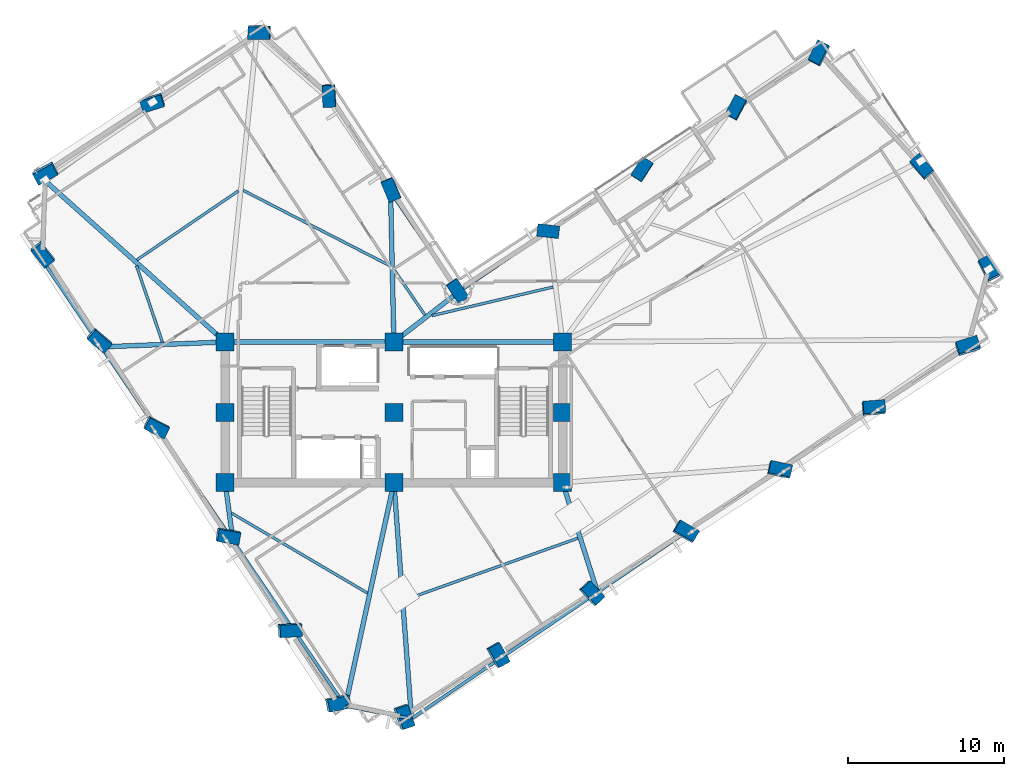
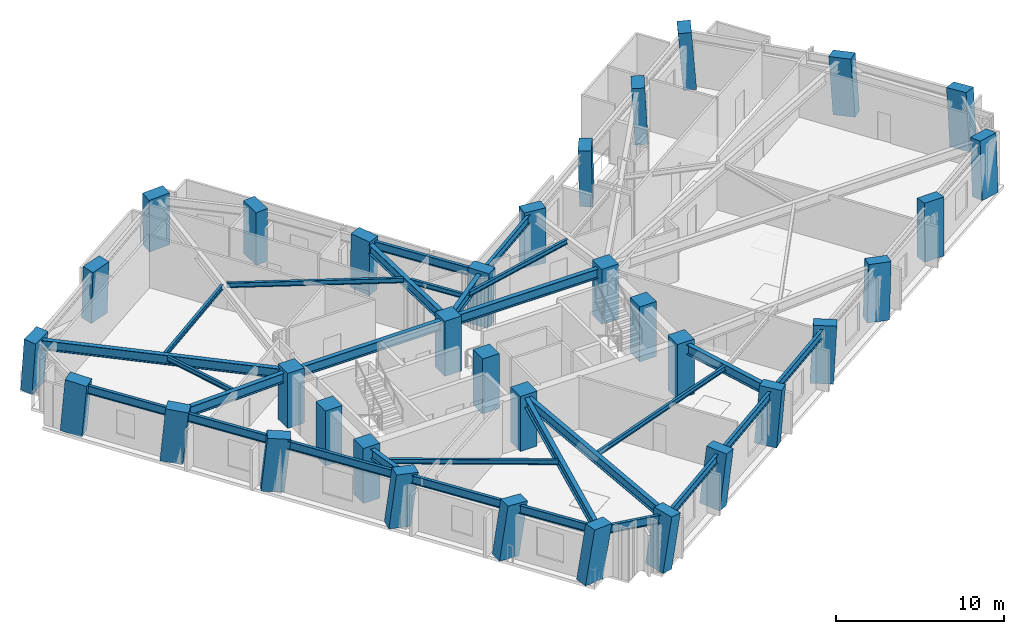
# One storey, part 1 of 14: 34 columns, 28 beams.
"""IFC4 building model written with IfcOpenShell, lengths in metres."""

from ifc_helpers import new_model, si_unit, direction, frame, origin, origin_2d, place, context, subcontext, project, spatial, rectangle, i_section, extrude, material, material_profile, profile_set, type_object, element, save


model = new_model("IFC4")

# Units and contexts
model_context = context("Model", 3, precision=1e-05, world=origin(), true_north=direction((0.0, 1.0)))
body_context = subcontext(model_context, "Body", "Model", "MODEL_VIEW")
ifc_project = project(units=[si_unit("LENGTHUNIT", "METRE"), si_unit("AREAUNIT", "SQUARE_METRE"), si_unit("VOLUMEUNIT", "CUBIC_METRE"), si_unit("PLANEANGLEUNIT", "RADIAN"), si_unit("MASSUNIT", "GRAM", prefix="KILO")], contexts=[model_context])

# Site, building, storey
site_placement = place(None, origin())
site = spatial("IfcSite", under=ifc_project, at=site_placement, CompositionType="ELEMENT")
building_placement = place(site_placement, origin())
building = spatial("IfcBuilding", under=site, at=building_placement, Name="Gaonmaruhae Medical Tower", CompositionType="ELEMENT")
storey_placement = place(building_placement, frame((0.0, 0.0, 165.800048828125)))
storey = spatial("IfcBuildingStorey", under=building, at=storey_placement, Name="L39", CompositionType="ELEMENT", Elevation=165.800048828125)

# Columns
ifc_material_1 = material(Name="Concrete C50/60", Category="concrete")
ifc_material_profile_1 = material_profile(ifc_material_1, rectangle(XDim=1.14990234375, YDim=1.14990234375, at=origin_2d()), Name="RC-1150x1150")
ifc_profile_set_1 = profile_set([ifc_material_profile_1], Name="Concrete C50/60")
column_type_1 = type_object("IfcColumnType", Name="CC-04 Zone 3 Core Column (RC-1150x1150)", PredefinedType="COLUMN", material=ifc_profile_set_1)
for number, where, z_axis, x_axis, name in (
    (1, (14.0, 7.800048828125, 0.0), (0.0, 0.0, 1.0), (1.0, 0.0, 0.0), "L39 Plumb Core Column CC11"),
    (2, (14.0, 12.300048828125, 0.0), (0.0, 0.0, 1.0), (1.0, 0.0, 0.0), "L39 Plumb Core Column CC12"),
    (3, (14.0, 16.800048828125, 0.0), (0.0, 0.0, 1.0), (1.0, 0.0, 0.0), "L39 Plumb Core Column CC13"),
    (4, (24.800048828125, 7.800048828125, 0.0), (0.0, 0.0, 1.0), (1.0, 0.0, 0.0), "L39 Plumb Core Column CC21"),
    (5, (24.800048828125, 12.300048828125, 0.0), (0.0, 0.0, 1.0), (1.0, 0.0, 0.0), "L39 Plumb Core Column CC22"),
    (6, (24.800048828125, 16.800048828125, 0.0), (0.0, 0.0, 1.0), (1.0, 0.0, 0.0), "L39 Plumb Core Column CC23"),
    (7, (35.60009765625, 7.800048828125, 0.0), (0.0, 0.0, 1.0), (1.0, 0.0, 0.0), "L39 Plumb Core Column CC31"),
    (8, (35.60009765625, 12.300048828125, 0.0), (0.0, 0.0, 1.0), (1.0, 0.0, 0.0), "L39 Plumb Core Column CC32"),
    (9, (35.60009765625, 16.800048828125, 0.0), (0.0, 0.0, 1.0), (1.0, 0.0, 0.0), "L39 Plumb Core Column CC33"),
):
    element("IfcColumn", number, at=place(storey_placement, frame(where, z_axis=z_axis, x_axis=x_axis)), inside=storey, type_object=column_type_1, Name=name, PredefinedType="COLUMN", context=body_context, shape_type="SweptSolid", body=[
        extrude(rectangle(XDim=1.14990234375, YDim=1.14990234375, at=origin_2d()), origin(), (0.0, 0.0, 1.0), 4.0),
    ])
ifc_material_2 = material(Name="Concrete C60/75", Category="concrete")
ifc_material_profile_2 = material_profile(ifc_material_2, rectangle(XDim=1.39990234375, YDim=0.800048828125, at=origin_2d()), Name="RC-1400x800")
ifc_profile_set_2 = profile_set([ifc_material_profile_2], Name="Concrete C60/75")
column_type_2 = type_object("IfcColumnType", Name="TC-02 Mid Raking Tube Pier Column (RC-1400x800)", PredefinedType="COLUMN", material=ifc_profile_set_2)
column_1_placement = place(storey_placement, frame((25.394287109375, -7.185791015625, 0.001708984375), z_axis=(0.131645353406, -0.032623837005, 0.9907599034), x_axis=(-0.326117093776, 0.942399963753, 0.074363629997)))
element("IfcColumn", 10, at=column_1_placement, inside=storey, type_object=column_type_2, Name="L39 Perimeter Tube Column S01", PredefinedType="COLUMN", context=body_context, shape_type="SweptSolid", body=[
    extrude(rectangle(XDim=1.39990234375, YDim=0.800048828125, at=origin_2d()), origin(), (0.0, 0.0, 1.0), 4.03369140625),
])
column_2_placement = place(storey_placement, frame((31.41552734375, -3.238037109375, 0.001708984375), z_axis=(0.115534746094, -0.008009761809, 0.993271144331), x_axis=(-0.485460776855, 0.871949376379, 0.06349896981)))
element("IfcColumn", 11, at=column_2_placement, inside=storey, type_object=column_type_2, Name="L39 Perimeter Tube Column S02", PredefinedType="COLUMN", context=body_context, shape_type="SweptSolid", body=[
    extrude(rectangle(XDim=1.39990234375, YDim=0.800048828125, at=origin_2d()), origin(), (0.0, 0.0, 1.0), 4.0234375),
])
column_3_placement = place(storey_placement, frame((37.436767578125, 0.709716796875, 0.001708984375), z_axis=(0.099255217842, 0.016653967966, 0.994922633717), x_axis=(-0.676374263693, 0.734488144375, 0.055181710615)))
element("IfcColumn", 12, at=column_3_placement, inside=storey, type_object=column_type_2, Name="L39 Perimeter Tube Column S03", PredefinedType="COLUMN", context=body_context, shape_type="SweptSolid", body=[
    extrude(rectangle(XDim=1.39990234375, YDim=0.800048828125, at=origin_2d()), origin(), (0.0, 0.0, 1.0), 4.016845703125),
])
column_4_placement = place(storey_placement, frame((43.4580078125, 4.657470703125, 0.001708984375), z_axis=(0.082788142261, 0.041363656677, 0.995708376688), x_axis=(-0.862154123845, 0.504098662124, 0.050742542141)))
element("IfcColumn", 13, at=column_4_placement, inside=storey, type_object=column_type_2, Name="L39 Perimeter Tube Column S04", PredefinedType="COLUMN", context=body_context, shape_type="SweptSolid", body=[
    extrude(rectangle(XDim=1.39990234375, YDim=0.800048828125, at=origin_2d()), origin(), (0.0, 0.0, 1.0), 4.013671875),
])
column_5_placement = place(storey_placement, frame((49.479248046875, 8.605224609375, 0.001708984375), z_axis=(0.066296769237, 0.066114301065, 0.995607170315), x_axis=(-0.977058462441, 0.206691483107, 0.051336067073)))
element("IfcColumn", 14, at=column_5_placement, inside=storey, type_object=column_type_2, Name="L39 Perimeter Tube Column S05", PredefinedType="COLUMN", context=body_context, shape_type="SweptSolid", body=[
    extrude(rectangle(XDim=1.39990234375, YDim=0.800048828125, at=origin_2d()), origin(), (0.0, 0.0, 1.0), 4.013916015625),
])
column_6_placement = place(storey_placement, frame((55.50048828125, 12.552978515625, 0.001708984375), z_axis=(0.049765035184, 0.090719410903, 0.994632308825), x_axis=(-0.995498317814, -0.07592385374, 0.056733302946)))
element("IfcColumn", 15, at=column_6_placement, inside=storey, type_object=column_type_2, Name="L39 Perimeter Tube Column S06", PredefinedType="COLUMN", context=body_context, shape_type="SweptSolid", body=[
    extrude(rectangle(XDim=1.39990234375, YDim=0.800048828125, at=origin_2d()), origin(), (0.0, 0.0, 1.0), 4.017822265625),
])
column_7_placement = place(storey_placement, frame((61.521728515625, 16.500732421875, 0.001708984375), z_axis=(0.03323650567, 0.115175409247, 0.992788980497), x_axis=(-0.954422894609, -0.291130448803, 0.0657267071)))
element("IfcColumn", 16, at=column_7_placement, inside=storey, type_object=column_type_2, Name="L39 Perimeter Tube Column S07", PredefinedType="COLUMN", context=body_context, shape_type="SweptSolid", body=[
    extrude(rectangle(XDim=1.39990234375, YDim=0.800048828125, at=origin_2d()), origin(), (0.0, 0.0, 1.0), 4.025390625),
])
column_8_placement = place(storey_placement, frame((62.877197265625, 21.455078125, 0.001708984375), z_axis=(0.012795146098, 0.120553319632, 0.992624390876), x_axis=(0.457616826134, -0.883350587109, 0.101383335381)))
element("IfcColumn", 17, at=column_8_placement, inside=storey, type_object=column_type_2, Name="L39 Perimeter Tube Column E01", PredefinedType="COLUMN", context=body_context, shape_type="SweptSolid", body=[
    extrude(rectangle(XDim=1.39990234375, YDim=0.800048828125, at=origin_2d()), origin(), (0.0, 0.0, 1.0), 4.026123046875),
])
column_9_placement = place(storey_placement, frame((58.6005859375, 27.97802734375, 0.001708984375), z_axis=(-0.013974855089, 0.102988605982, 0.994584360657), x_axis=(0.65515298968, -0.750479814309, 0.086917250466)))
element("IfcColumn", 18, at=column_9_placement, inside=storey, type_object=column_type_2, Name="L39 Perimeter Tube Column E02", PredefinedType="COLUMN", context=body_context, shape_type="SweptSolid", body=[
    extrude(rectangle(XDim=1.39990234375, YDim=0.800048828125, at=origin_2d()), origin(), (0.0, 0.0, 1.0), 4.01806640625),
])
column_10_placement = place(storey_placement, frame((52.027587890625, 35.267578125, 0.001708984375), z_axis=(-0.043877725152, 0.075705811496, 0.996164331494), x_axis=(-0.449659174305, -0.89191078624, 0.047976831414)))
element("IfcColumn", 19, at=column_10_placement, inside=storey, type_object=column_type_2, Name="L39 Perimeter Tube Column E03", PredefinedType="COLUMN", context=body_context, shape_type="SweptSolid", body=[
    extrude(rectangle(XDim=1.39990234375, YDim=0.800048828125, at=origin_2d()), origin(), (0.0, 0.0, 1.0), 4.01171875),
])
column_11_placement = place(storey_placement, frame((46.71728515625, 31.785888671875, 0.001708984375), z_axis=(-0.029390162986, 0.054024241505, 0.998107008116), x_axis=(-0.473093074248, -0.880366887856, 0.033720703821)))
element("IfcColumn", 20, at=column_11_placement, inside=storey, type_object=column_type_2, Name="L39 Perimeter Tube Column EN01", PredefinedType="COLUMN", context=body_context, shape_type="SweptSolid", body=[
    extrude(rectangle(XDim=1.39990234375, YDim=0.800048828125, at=origin_2d()), origin(), (0.0, 0.0, 1.0), 4.00390625),
])
column_12_placement = place(storey_placement, frame((40.696044921875, 27.838134765625, 0.001708984375), z_axis=(-0.012883611471, 0.029308689603, 0.999487375243), x_axis=(-0.545052318334, -0.838218249125, 0.017553834713)))
element("IfcColumn", 21, at=column_12_placement, inside=storey, type_object=column_type_2, Name="L39 Perimeter Tube Column EN02", PredefinedType="COLUMN", context=body_context, shape_type="SweptSolid", body=[
    extrude(rectangle(XDim=1.39990234375, YDim=0.800048828125, at=origin_2d()), origin(), (0.0, 0.0, 1.0), 3.998291015625),
])
column_13_placement = place(storey_placement, frame((34.6748046875, 23.890380859375, 0.001708984375), z_axis=(0.003726493364, 0.004459574025, 0.999983112581), x_axis=(-0.99330109932, 0.115510919824, 0.003186454268)))
element("IfcColumn", 22, at=column_13_placement, inside=storey, type_object=column_type_2, Name="L39 Perimeter Tube Column EN03", PredefinedType="COLUMN", context=body_context, shape_type="SweptSolid", body=[
    extrude(rectangle(XDim=1.39990234375, YDim=0.800048828125, at=origin_2d()), origin(), (0.0, 0.0, 1.0), 3.996337890625),
])
column_14_placement = place(storey_placement, frame((28.862548828125, 20.07958984375, 0.001708984375), z_axis=(0.019724836791, -0.019480566367, 0.99961564531), x_axis=(-0.553225254665, 0.832589411518, 0.027142023308)))
element("IfcColumn", 23, at=column_14_placement, inside=storey, type_object=column_type_2, Name="L39 Perimeter Tube Column KN01", PredefinedType="COLUMN", context=body_context, shape_type="SweptSolid", body=[
    extrude(rectangle(XDim=1.39990234375, YDim=0.800048828125, at=origin_2d()), origin(), (0.0, 0.0, 1.0), 3.997802734375),
])
column_15_placement = place(storey_placement, frame((24.61328125, 26.560791015625, 0.001708984375), z_axis=(-0.007020412857, -0.037299758743, 0.999279461313), x_axis=(-0.384257200508, 0.922680288149, 0.031740978557)))
element("IfcColumn", 24, at=column_15_placement, inside=storey, type_object=column_type_2, Name="L39 Perimeter Tube Column NE01", PredefinedType="COLUMN", context=body_context, shape_type="SweptSolid", body=[
    extrude(rectangle(XDim=1.39990234375, YDim=0.800048828125, at=origin_2d()), origin(), (0.0, 0.0, 1.0), 3.999267578125),
])
column_16_placement = place(storey_placement, frame((20.66552734375, 32.58203125, 0.001708984375), z_axis=(-0.031766312901, -0.053777136236, 0.99804755447), x_axis=(-0.047579985119, 0.997500791827, 0.052233277912)))
element("IfcColumn", 25, at=column_16_placement, inside=storey, type_object=column_type_2, Name="L39 Perimeter Tube Column NE02", PredefinedType="COLUMN", context=body_context, shape_type="SweptSolid", body=[
    extrude(rectangle(XDim=1.39990234375, YDim=0.800048828125, at=origin_2d()), origin(), (0.0, 0.0, 1.0), 4.004150390625),
])
column_17_placement = place(storey_placement, frame((16.20361328125, 36.65185546875, 0.001708984375), z_axis=(-0.048383489363, -0.072240505501, 0.996213002988), x_axis=(0.998796364309, -0.011541167094, 0.047672047424)))
element("IfcColumn", 26, at=column_17_placement, inside=storey, type_object=column_type_2, Name="L39 Perimeter Tube Column N01", PredefinedType="COLUMN", context=body_context, shape_type="SweptSolid", body=[
    extrude(rectangle(XDim=1.39990234375, YDim=0.800048828125, at=origin_2d()), origin(), (0.0, 0.0, 1.0), 4.011474609375),
])
column_18_placement = place(storey_placement, frame((9.345947265625, 32.15576171875, 0.001708984375), z_axis=(-0.029466986513, -0.100248510816, 0.994525983967), x_axis=(0.956119960722, 0.28731928524, 0.057290915853)))
element("IfcColumn", 27, at=column_18_placement, inside=storey, type_object=column_type_2, Name="L39 Perimeter Tube Column N02", PredefinedType="COLUMN", context=body_context, shape_type="SweptSolid", body=[
    extrude(rectangle(XDim=1.39990234375, YDim=0.800048828125, at=origin_2d()), origin(), (0.0, 0.0, 1.0), 4.018310546875),
])
column_19_placement = place(storey_placement, frame((2.488525390625, 27.65966796875, 0.001708984375), z_axis=(-0.010723609522, -0.127956289889, 0.991721832006), x_axis=(0.878775801731, 0.472013172866, 0.070403515059)))
element("IfcColumn", 28, at=column_19_placement, inside=storey, type_object=column_type_2, Name="L39 Perimeter Tube Column N03", PredefinedType="COLUMN", context=body_context, shape_type="SweptSolid", body=[
    extrude(rectangle(XDim=1.39990234375, YDim=0.800048828125, at=origin_2d()), origin(), (0.0, 0.0, 1.0), 4.02978515625),
])
column_20_placement = place(storey_placement, frame((2.309814453125, 22.460693359375, 0.001708984375), z_axis=(0.010722776327, -0.128552154608, 0.991644777939), x_axis=(-0.615329717345, 0.780852933032, 0.107879728992)))
element("IfcColumn", 29, at=column_20_placement, inside=storey, type_object=column_type_2, Name="L39 Perimeter Tube Column W01", PredefinedType="COLUMN", context=body_context, shape_type="SweptSolid", body=[
    extrude(rectangle(XDim=1.39990234375, YDim=0.800048828125, at=origin_2d()), origin(), (0.0, 0.0, 1.0), 4.030029296875),
])
column_21_placement = place(storey_placement, frame((5.9287109375, 16.941162109375, 0.001708984375), z_axis=(0.033303096724, -0.113618761684, 0.992966102514), x_axis=(-0.759731320858, 0.642654078492, 0.099015430641)))
element("IfcColumn", 30, at=column_21_placement, inside=storey, type_object=column_type_2, Name="L39 Perimeter Tube Column W02", PredefinedType="COLUMN", context=body_context, shape_type="SweptSolid", body=[
    extrude(rectangle(XDim=1.39990234375, YDim=0.800048828125, at=origin_2d()), origin(), (0.0, 0.0, 1.0), 4.024658203125),
])
column_22_placement = place(storey_placement, frame((9.574951171875, 11.3798828125, 0.001708984375), z_axis=(0.056084647045, -0.098451620678, 0.993560159604), x_axis=(-0.887695995849, 0.450574191824, 0.094756090128)))
element("IfcColumn", 31, at=column_22_placement, inside=storey, type_object=column_type_2, Name="L39 Perimeter Tube Column W03", PredefinedType="COLUMN", context=body_context, shape_type="SweptSolid", body=[
    extrude(rectangle(XDim=1.39990234375, YDim=0.800048828125, at=origin_2d()), origin(), (0.0, 0.0, 1.0), 4.022216796875),
])
column_23_placement = place(storey_placement, frame((14.153076171875, 4.39697265625, 0.001708984375), z_axis=(0.084706641826, -0.079366968129, 0.993239985704), x_axis=(-0.981025896892, 0.167823078859, 0.097075248287)))
element("IfcColumn", 32, at=column_23_placement, inside=storey, type_object=column_type_2, Name="L39 Perimeter Tube Column W04", PredefinedType="COLUMN", context=body_context, shape_type="SweptSolid", body=[
    extrude(rectangle(XDim=1.39990234375, YDim=0.800048828125, at=origin_2d()), origin(), (0.0, 0.0, 1.0), 4.0234375),
])
column_24_placement = place(storey_placement, frame((18.100830078125, -1.624267578125, 0.001708984375), z_axis=(0.109208764974, -0.062846553429, 0.992030118683), x_axis=(-0.992533896437, -0.0614249455, 0.105372864127)))
element("IfcColumn", 33, at=column_24_placement, inside=storey, type_object=column_type_2, Name="L39 Perimeter Tube Column W05", PredefinedType="COLUMN", context=body_context, shape_type="SweptSolid", body=[
    extrude(rectangle(XDim=1.39990234375, YDim=0.800048828125, at=origin_2d()), origin(), (0.0, 0.0, 1.0), 4.028564453125),
])
column_25_placement = place(storey_placement, frame((21.17138671875, -6.307373046875, 0.001708984375), z_axis=(0.128160819997, -0.049981509593, 0.990493136229), x_axis=(-0.970940760617, -0.209855979938, 0.115041327604)))
element("IfcColumn", 34, at=column_25_placement, inside=storey, type_object=column_type_2, Name="L39 Perimeter Tube Column W06", PredefinedType="COLUMN", context=body_context, shape_type="SweptSolid", body=[
    extrude(rectangle(XDim=1.39990234375, YDim=0.800048828125, at=origin_2d()), origin(), (0.0, 0.0, 1.0), 4.03466796875),
])

# Beams
ifc_material_3 = material(Name="Steel SM355", Category="steel")
ifc_material_profile_3 = material_profile(ifc_material_3, i_section(OverallWidth=0.175048828125, OverallDepth=0.35009765625, WebThickness=0.007080078125, FlangeThickness=0.010986328125, FilletRadius=0.012939453125, at=origin_2d()), Name="H-350x175x7x11")
ifc_profile_set_3 = profile_set([ifc_material_profile_3], Name="Steel SM355")
beam_type_1 = type_object("IfcBeamType", Name="FJ-02 Upper Zone Ward Floor Joist (H-350x175x7x11)", PredefinedType="JOIST", material=ifc_profile_set_3)
beam_1_placement = place(storey_placement, frame((25.51513671875, 0.295654296875, 3.60498046875), z_axis=(0.941964776922, 0.335711720138, 0.0), x_axis=(-0.335711720138, 0.941964776922, 0.0)))
element("IfcBeam", 35, at=beam_1_placement, inside=storey, type_object=beam_type_1, Name="L39 Secondary Floor Joist FJ01", PredefinedType="JOIST", context=body_context, shape_type="SweptSolid", body=[
    extrude(i_section(OverallWidth=0.175048828125, OverallDepth=0.35009765625, WebThickness=0.007080078125, FlangeThickness=0.010986328125, FilletRadius=0.012939453125, at=origin_2d()), origin(), (0.0, 0.0, 1.0), 11.73681640625),
])
beam_2_placement = place(storey_placement, frame((34.9921875, 20.318115234375, 3.60498046875), z_axis=(-0.973249108647, -0.229752415697, 0.0), x_axis=(0.229752415697, -0.973249108647, 0.0)))
element("IfcBeam", 36, at=beam_2_placement, inside=storey, type_object=beam_type_1, Name="L39 Secondary Floor Joist FJ07", PredefinedType="JOIST", context=body_context, shape_type="SweptSolid", body=[
    extrude(i_section(OverallWidth=0.175048828125, OverallDepth=0.35009765625, WebThickness=0.007080078125, FlangeThickness=0.010986328125, FilletRadius=0.012939453125, at=origin_2d()), origin(), (0.0, 0.0, 1.0), 7.97607421875),
])
beam_3_placement = place(storey_placement, frame((26.782958984375, 18.5302734375, 3.60498046875), z_axis=(-0.562137073321, 0.827044080324, 0.0), x_axis=(-0.827044080324, -0.562137073321, 0.0)))
element("IfcBeam", 37, at=beam_3_placement, inside=storey, type_object=beam_type_1, Name="L39 Secondary Floor Joist FJ08", PredefinedType="JOIST", context=body_context, shape_type="SweptSolid", body=[
    extrude(i_section(OverallWidth=0.175048828125, OverallDepth=0.35009765625, WebThickness=0.007080078125, FlangeThickness=0.010986328125, FilletRadius=0.012939453125, at=origin_2d()), origin(), (0.0, 0.0, 1.0), 3.436767578125),
])
beam_4_placement = place(storey_placement, frame((24.53564453125, 21.6865234375, 3.60498046875), z_axis=(-0.889560662514, 0.456817061533, 0.0), x_axis=(-0.456817061533, -0.889560662514, 0.0)))
element("IfcBeam", 38, at=beam_4_placement, inside=storey, type_object=beam_type_1, Name="L39 Secondary Floor Joist FJ09", PredefinedType="JOIST", context=body_context, shape_type="SweptSolid", body=[
    extrude(i_section(OverallWidth=0.175048828125, OverallDepth=0.35009765625, WebThickness=0.007080078125, FlangeThickness=0.010986328125, FilletRadius=0.012939453125, at=origin_2d()), origin(), (0.0, 0.0, 1.0), 10.547119140625),
])
beam_5_placement = place(storey_placement, frame((14.837646484375, 26.467529296875, 3.60498046875), z_axis=(-0.827081167543, -0.562082504883, 0.0), x_axis=(0.562082504883, -0.827081167543, 0.0)))
element("IfcBeam", 39, at=beam_5_placement, inside=storey, type_object=beam_type_1, Name="L39 Secondary Floor Joist FJ10", PredefinedType="JOIST", context=body_context, shape_type="SweptSolid", body=[
    extrude(i_section(OverallWidth=0.175048828125, OverallDepth=0.35009765625, WebThickness=0.007080078125, FlangeThickness=0.010986328125, FilletRadius=0.012939453125, at=origin_2d()), origin(), (0.0, 0.0, 1.0), 7.83740234375),
])
beam_6_placement = place(storey_placement, frame((8.32275390625, 21.677001953125, 3.60498046875), z_axis=(0.321352469127, -0.946959656261, 0.0), x_axis=(0.946959656261, 0.321352469127, 0.0)))
element("IfcBeam", 40, at=beam_6_placement, inside=storey, type_object=beam_type_1, Name="L39 Secondary Floor Joist FJ11", PredefinedType="JOIST", context=body_context, shape_type="SweptSolid", body=[
    extrude(i_section(OverallWidth=0.175048828125, OverallDepth=0.35009765625, WebThickness=0.007080078125, FlangeThickness=0.010986328125, FilletRadius=0.012939453125, at=origin_2d()), origin(), (0.0, 0.0, 1.0), 5.15478515625),
])
beam_7_placement = place(storey_placement, frame((14.416259765625, 5.839111328125, 3.60498046875), z_axis=(0.861902454926, -0.507074115088, 0.0), x_axis=(0.507074115088, 0.861902454926, 0.0)))
element("IfcBeam", 41, at=beam_7_placement, inside=storey, type_object=beam_type_1, Name="L39 Secondary Floor Joist FJ13", PredefinedType="JOIST", context=body_context, shape_type="SweptSolid", body=[
    extrude(i_section(OverallWidth=0.175048828125, OverallDepth=0.35009765625, WebThickness=0.007080078125, FlangeThickness=0.010986328125, FilletRadius=0.012939453125, at=origin_2d()), origin(), (0.0, 0.0, 1.0), 10.07861328125),
])
ifc_material_4 = material(Name="Steel SM420", Category="steel")
ifc_material_profile_4 = material_profile(ifc_material_4, i_section(OverallWidth=0.300048828125, OverallDepth=0.699951171875, WebThickness=0.012939453125, FlangeThickness=0.02392578125, FilletRadius=0.01806640625, at=origin_2d()), Name="H-700x300x13x24")
ifc_profile_set_4 = profile_set([ifc_material_profile_4], Name="Steel SM420")
beam_type_2 = type_object("IfcBeamType", Name="PG-03 Zone 3 Radial Floor Girder (H-700x300x13x24)", PredefinedType="BEAM", material=ifc_profile_set_4)
for number, where, z_axis, x_axis, name in (
    (42, (14.050048828125, 16.800048828125, 3.429931640625), (1.0, 0.0, 0.0), (0.0, 1.0, 0.0), "L39 Beam BM-L39-CG-N1"),
    (43, (24.85009765625, 16.800048828125, 3.429931640625), (1.0, 0.0, 0.0), (0.0, 1.0, 0.0), "L39 Beam BM-L39-CG-N2"),
):
    element("IfcBeam", number, at=place(storey_placement, frame(where, z_axis=z_axis, x_axis=x_axis)), inside=storey, type_object=beam_type_2, Name=name, PredefinedType="BEAM", context=body_context, shape_type="SweptSolid", body=[
        extrude(i_section(OverallWidth=0.300048828125, OverallDepth=0.699951171875, WebThickness=0.012939453125, FlangeThickness=0.02392578125, FilletRadius=0.01806640625, at=origin_2d()), origin(), (0.0, 0.0, 1.0), 10.699951171875),
    ])
beam_8_placement = place(storey_placement, frame((24.8037109375, 7.750244140625, 3.429931640625), z_axis=(0.074250281118, -0.997239638078, 0.0), x_axis=(0.997239638078, 0.074250281118, 0.0)))
element("IfcBeam", 44, at=beam_8_placement, inside=storey, type_object=beam_type_2, Name="L39 Radial Primary Girder S01", PredefinedType="BEAM", context=body_context, shape_type="SweptSolid", body=[
    extrude(i_section(OverallWidth=0.300048828125, OverallDepth=0.699951171875, WebThickness=0.012939453125, FlangeThickness=0.02392578125, FilletRadius=0.01806640625, at=origin_2d()), origin(), (0.0, 0.0, 1.0), 15.059326171875),
])
beam_9_placement = place(storey_placement, frame((35.615234375, 7.75244140625, 3.429931640625), z_axis=(0.303284043805, -0.952900198748, 0.0), x_axis=(0.952900198748, 0.303284043805, 0.0)))
element("IfcBeam", 45, at=beam_9_placement, inside=storey, type_object=beam_type_2, Name="L39 Radial Primary Girder S03", PredefinedType="BEAM", context=body_context, shape_type="SweptSolid", body=[
    extrude(i_section(OverallWidth=0.300048828125, OverallDepth=0.699951171875, WebThickness=0.012939453125, FlangeThickness=0.02392578125, FilletRadius=0.01806640625, at=origin_2d()), origin(), (0.0, 0.0, 1.0), 7.270751953125),
])
beam_10_placement = place(storey_placement, frame((24.839599609375, 16.83056640625, 3.429931640625), z_axis=(0.791133355873, 0.611643697936, 0.0), x_axis=(-0.611643697936, 0.791133355873, 0.0)))
element("IfcBeam", 46, at=beam_10_placement, inside=storey, type_object=beam_type_2, Name="L39 Radial Primary Girder KN01", PredefinedType="BEAM", context=body_context, shape_type="SweptSolid", body=[
    extrude(i_section(OverallWidth=0.300048828125, OverallDepth=0.699951171875, WebThickness=0.012939453125, FlangeThickness=0.02392578125, FilletRadius=0.01806640625, at=origin_2d()), origin(), (0.0, 0.0, 1.0), 5.134765625),
])
beam_11_placement = place(storey_placement, frame((24.798828125, 16.85009765625, 3.429931640625), z_axis=(-0.02232560268, 0.99975075267, 0.0), x_axis=(-0.99975075267, -0.02232560268, 0.0)))
element("IfcBeam", 47, at=beam_11_placement, inside=storey, type_object=beam_type_2, Name="L39 Radial Primary Girder NE01", PredefinedType="BEAM", context=body_context, shape_type="SweptSolid", body=[
    extrude(i_section(OverallWidth=0.300048828125, OverallDepth=0.699951171875, WebThickness=0.012939453125, FlangeThickness=0.02392578125, FilletRadius=0.01806640625, at=origin_2d()), origin(), (0.0, 0.0, 1.0), 9.513916015625),
])
beam_12_placement = place(storey_placement, frame((13.962646484375, 16.833251953125, 3.429931640625), z_axis=(-0.745062677293, 0.666994457927, 0.0), x_axis=(-0.666994457927, -0.745062677293, 0.0)))
element("IfcBeam", 48, at=beam_12_placement, inside=storey, type_object=beam_type_2, Name="L39 Radial Primary Girder N03", PredefinedType="BEAM", context=body_context, shape_type="SweptSolid", body=[
    extrude(i_section(OverallWidth=0.300048828125, OverallDepth=0.699951171875, WebThickness=0.012939453125, FlangeThickness=0.02392578125, FilletRadius=0.01806640625, at=origin_2d()), origin(), (0.0, 0.0, 1.0), 15.407958984375),
])
beam_13_placement = place(storey_placement, frame((13.949951171875, 16.798095703125, 3.429931640625), z_axis=(-0.999205972912, -0.03984248607, 0.0), x_axis=(0.03984248607, -0.999205972912, 0.0)))
element("IfcBeam", 49, at=beam_13_placement, inside=storey, type_object=beam_type_2, Name="L39 Radial Primary Girder W02", PredefinedType="BEAM", context=body_context, shape_type="SweptSolid", body=[
    extrude(i_section(OverallWidth=0.300048828125, OverallDepth=0.699951171875, WebThickness=0.012939453125, FlangeThickness=0.02392578125, FilletRadius=0.01806640625, at=origin_2d()), origin(), (0.0, 0.0, 1.0), 7.843505859375),
])
beam_14_placement = place(storey_placement, frame((14.006591796875, 7.75048828125, 3.429931640625), z_axis=(0.131511821321, -0.99131460236, 0.0), x_axis=(0.99131460236, 0.131511821321, 0.0)))
element("IfcBeam", 50, at=beam_14_placement, inside=storey, type_object=beam_type_2, Name="L39 Radial Primary Girder W04", PredefinedType="BEAM", context=body_context, shape_type="SweptSolid", body=[
    extrude(i_section(OverallWidth=0.300048828125, OverallDepth=0.699951171875, WebThickness=0.012939453125, FlangeThickness=0.02392578125, FilletRadius=0.01806640625, at=origin_2d()), origin(), (0.0, 0.0, 1.0), 3.6552734375),
])
beam_15_placement = place(storey_placement, frame((24.789306640625, 7.751220703125, 3.429931640625), z_axis=(-0.212472156875, -0.977167121097, 0.0), x_axis=(0.977167121097, -0.212472156875, 0.0)))
element("IfcBeam", 51, at=beam_15_placement, inside=storey, type_object=beam_type_2, Name="L39 Radial Primary Girder W06", PredefinedType="BEAM", context=body_context, shape_type="SweptSolid", body=[
    extrude(i_section(OverallWidth=0.300048828125, OverallDepth=0.699951171875, WebThickness=0.012939453125, FlangeThickness=0.02392578125, FilletRadius=0.01806640625, at=origin_2d()), origin(), (0.0, 0.0, 1.0), 14.54345703125),
])
ifc_material_profile_5 = material_profile(ifc_material_3, i_section(OverallWidth=0.199951171875, OverallDepth=0.60009765625, WebThickness=0.010986328125, FlangeThickness=0.01708984375, FilletRadius=0.012939453125, at=origin_2d()), Name="H-600x200x11x17")
ifc_profile_set_5 = profile_set([ifc_material_profile_5], Name="Steel SM355")
beam_type_3 = type_object("IfcBeamType", Name="SP-01 Lower Perimeter Spandrel Beam (H-600x200x11x17)", PredefinedType="SPANDREL", material=ifc_profile_set_5)
beam_16_placement = place(storey_placement, frame((25.958740234375, -7.294921875, 3.47998046875), z_axis=(0.827079539268, 0.562084900816, 0.0), x_axis=(-0.562084900816, 0.827079539268, 0.0)))
element("IfcBeam", 52, at=beam_16_placement, inside=storey, type_object=beam_type_3, Name="L39 Perimeter Spandrel Beam S01-S02", PredefinedType="SPANDREL", context=body_context, shape_type="SweptSolid", body=[
    extrude(i_section(OverallWidth=0.199951171875, OverallDepth=0.60009765625, WebThickness=0.010986328125, FlangeThickness=0.01708984375, FilletRadius=0.012939453125, at=origin_2d()), origin(), (0.0, 0.0, 1.0), 7.119873046875),
])
for number, where, z_axis, x_axis, name in (
    (53, (31.91357421875, -3.247802734375, 3.47998046875), (0.827090372432, 0.562068960031, 0.0), (-0.562068960031, 0.827090372432, 0.0), "L39 Perimeter Spandrel Beam S02-S03"),
    (54, (37.86865234375, 0.799072265625, 3.47998046875), (0.827090372432, 0.562068960031, 0.0), (-0.562068960031, 0.827090372432, 0.0), "L39 Perimeter Spandrel Beam S03-S04"),
):
    element("IfcBeam", number, at=place(storey_placement, frame(where, z_axis=z_axis, x_axis=x_axis)), inside=storey, type_object=beam_type_3, Name=name, PredefinedType="SPANDREL", context=body_context, shape_type="SweptSolid", body=[
        extrude(i_section(OverallWidth=0.199951171875, OverallDepth=0.60009765625, WebThickness=0.010986328125, FlangeThickness=0.01708984375, FilletRadius=0.012939453125, at=origin_2d()), origin(), (0.0, 0.0, 1.0), 7.1201171875),
    ])
beam_17_placement = place(storey_placement, frame((34.656494140625, 23.8857421875, 3.47998046875), z_axis=(-0.82706924838, -0.562100043038, 0.0), x_axis=(0.562100043038, -0.82706924838, 0.0)))
element("IfcBeam", 55, at=beam_17_placement, inside=storey, type_object=beam_type_3, Name="L39 Perimeter Spandrel Beam EN03-KN01", PredefinedType="SPANDREL", context=body_context, shape_type="SweptSolid", body=[
    extrude(i_section(OverallWidth=0.199951171875, OverallDepth=0.60009765625, WebThickness=0.010986328125, FlangeThickness=0.01708984375, FilletRadius=0.012939453125, at=origin_2d()), origin(), (0.0, 0.0, 1.0), 6.869873046875),
])
beam_18_placement = place(storey_placement, frame((28.9189453125, 20.034912109375, 3.47998046875), z_axis=(-0.562089732205, 0.827076255825, 0.0), x_axis=(-0.827076255825, -0.562089732205, 0.0)))
element("IfcBeam", 56, at=beam_18_placement, inside=storey, type_object=beam_type_3, Name="L39 Perimeter Spandrel Beam KN01-NE01", PredefinedType="SPANDREL", context=body_context, shape_type="SweptSolid", body=[
    extrude(i_section(OverallWidth=0.199951171875, OverallDepth=0.60009765625, WebThickness=0.010986328125, FlangeThickness=0.01708984375, FilletRadius=0.012939453125, at=origin_2d()), origin(), (0.0, 0.0, 1.0), 7.670166015625),
])
beam_19_placement = place(storey_placement, frame((2.37548828125, 21.909423828125, 3.47998046875), z_axis=(0.562083651949, -0.827080387999, 0.0), x_axis=(0.827080387999, 0.562083651949, 0.0)))
element("IfcBeam", 57, at=beam_19_placement, inside=storey, type_object=beam_type_3, Name="L39 Perimeter Spandrel Beam W01-W02", PredefinedType="SPANDREL", context=body_context, shape_type="SweptSolid", body=[
    extrude(i_section(OverallWidth=0.199951171875, OverallDepth=0.60009765625, WebThickness=0.010986328125, FlangeThickness=0.01708984375, FilletRadius=0.012939453125, at=origin_2d()), origin(), (0.0, 0.0, 1.0), 6.52001953125),
])
beam_20_placement = place(storey_placement, frame((6.085205078125, 16.45068359375, 3.47998046875), z_axis=(0.562070129799, -0.827089577487, 0.0), x_axis=(0.827089577487, 0.562070129799, 0.0)))
element("IfcBeam", 58, at=beam_20_placement, inside=storey, type_object=beam_type_3, Name="L39 Perimeter Spandrel Beam W02-W03", PredefinedType="SPANDREL", context=body_context, shape_type="SweptSolid", body=[
    extrude(i_section(OverallWidth=0.199951171875, OverallDepth=0.60009765625, WebThickness=0.010986328125, FlangeThickness=0.01708984375, FilletRadius=0.012939453125, at=origin_2d()), origin(), (0.0, 0.0, 1.0), 6.570068359375),
])
beam_21_placement = place(storey_placement, frame((9.822998046875, 10.950439453125, 3.47998046875), z_axis=(0.562090366388, -0.827075824828, 0.0), x_axis=(0.827075824828, 0.562090366388, 0.0)))
element("IfcBeam", 59, at=beam_21_placement, inside=storey, type_object=beam_type_3, Name="L39 Perimeter Spandrel Beam W03-W04", PredefinedType="SPANDREL", context=body_context, shape_type="SweptSolid", body=[
    extrude(i_section(OverallWidth=0.199951171875, OverallDepth=0.60009765625, WebThickness=0.010986328125, FlangeThickness=0.01708984375, FilletRadius=0.012939453125, at=origin_2d()), origin(), (0.0, 0.0, 1.0), 8.27001953125),
])
beam_22_placement = place(storey_placement, frame((14.516357421875, 4.04443359375, 3.47998046875), z_axis=(0.562092415873, -0.82707443197, 0.0), x_axis=(0.82707443197, 0.562092415873, 0.0)))
element("IfcBeam", 60, at=beam_22_placement, inside=storey, type_object=beam_type_3, Name="L39 Perimeter Spandrel Beam W04-W05", PredefinedType="SPANDREL", context=body_context, shape_type="SweptSolid", body=[
    extrude(i_section(OverallWidth=0.199951171875, OverallDepth=0.60009765625, WebThickness=0.010986328125, FlangeThickness=0.01708984375, FilletRadius=0.012939453125, at=origin_2d()), origin(), (0.0, 0.0, 1.0), 7.1201171875),
])
beam_23_placement = place(storey_placement, frame((18.5634765625, -1.91064453125, 3.47998046875), z_axis=(0.562098297182, -0.827070434912, 0.0), x_axis=(0.827070434912, 0.562098297182, 0.0)))
element("IfcBeam", 61, at=beam_23_placement, inside=storey, type_object=beam_type_3, Name="L39 Perimeter Spandrel Beam W05-W06", PredefinedType="SPANDREL", context=body_context, shape_type="SweptSolid", body=[
    extrude(i_section(OverallWidth=0.199951171875, OverallDepth=0.60009765625, WebThickness=0.010986328125, FlangeThickness=0.01708984375, FilletRadius=0.012939453125, at=origin_2d()), origin(), (0.0, 0.0, 1.0), 5.52001953125),
])
beam_24_placement = place(storey_placement, frame((21.72802734375, -6.5166015625, 3.47998046875), z_axis=(0.982287545456, -0.187379769562, 0.0), x_axis=(0.187379769562, 0.982287545456, 0.0)))
element("IfcBeam", 62, at=beam_24_placement, inside=storey, type_object=beam_type_3, Name="L39 Perimeter Spandrel Beam W06-S01", PredefinedType="SPANDREL", context=body_context, shape_type="SweptSolid", body=[
    extrude(i_section(OverallWidth=0.199951171875, OverallDepth=0.60009765625, WebThickness=0.010986328125, FlangeThickness=0.01708984375, FilletRadius=0.012939453125, at=origin_2d()), origin(), (0.0, 0.0, 1.0), 4.233154296875),
])

save(model, "model.ifc")
